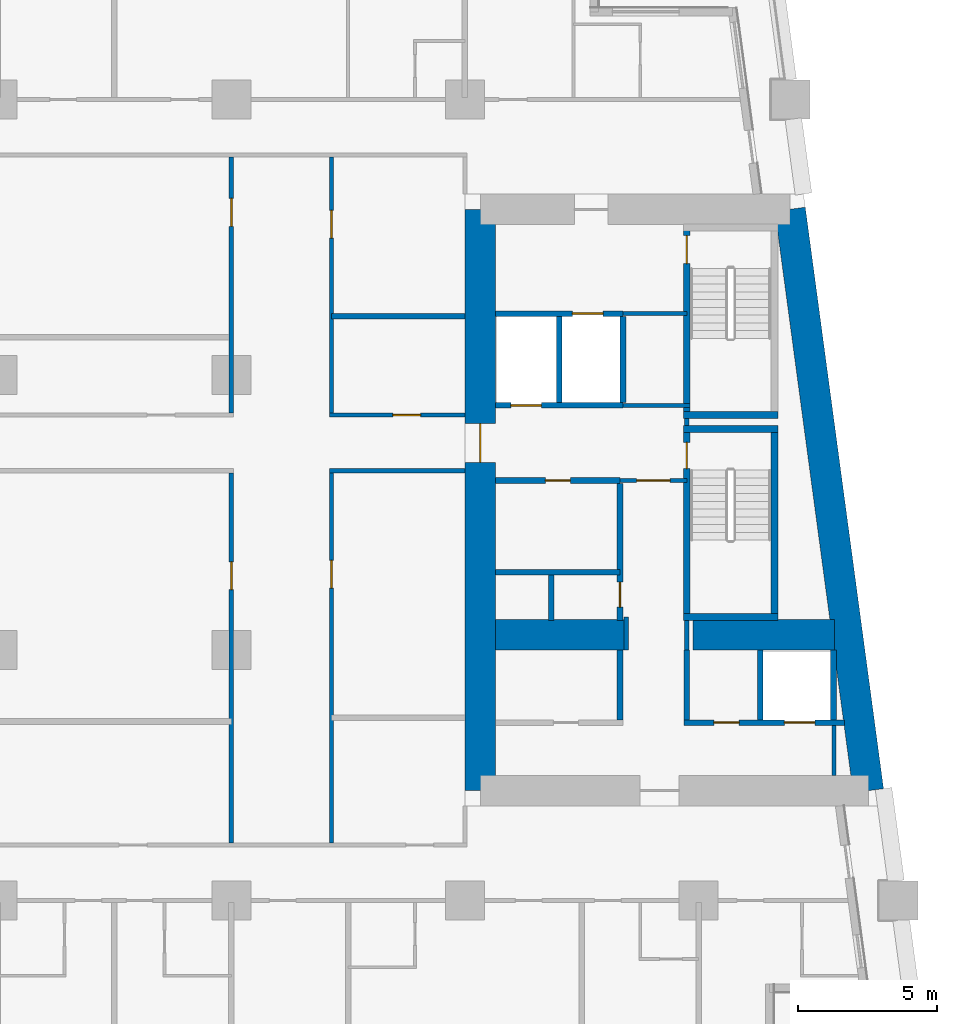
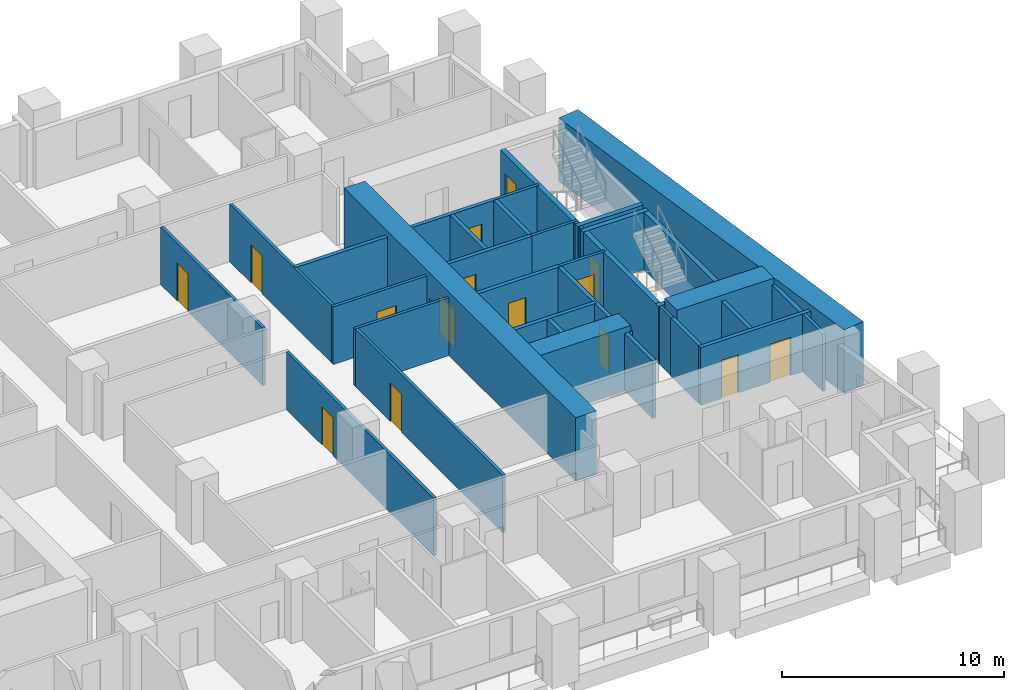
# One storey, part 5 of 12: 37 walls, 15 doors, 15 openings.
"""IFC4 building model written with IfcOpenShell, lengths in metres."""

from ifc_helpers import new_model, si_unit, direction, frame, frame_2d, origin, place, context, subcontext, project, spatial, rectangle, extrude, material, layer, layer_set, type_object, element, fill, save


model = new_model("IFC4")

# Units and contexts
model_context = context("Model", 3, precision=1e-05, world=origin(), true_north=direction((0.0, 1.0)))
body_context = subcontext(model_context, "Body", "Model", "MODEL_VIEW")
ifc_project = project(units=[si_unit("LENGTHUNIT", "METRE"), si_unit("AREAUNIT", "SQUARE_METRE"), si_unit("VOLUMEUNIT", "CUBIC_METRE"), si_unit("PLANEANGLEUNIT", "RADIAN"), si_unit("MASSUNIT", "GRAM", prefix="KILO")], contexts=[model_context])

# Site, building, storey
site_placement = place(None, origin())
site = spatial("IfcSite", under=ifc_project, at=site_placement, CompositionType="ELEMENT")
building_placement = place(site_placement, origin())
building = spatial("IfcBuilding", under=site, at=building_placement, Name="Candeia Pilgrim Tower and Theatre", CompositionType="ELEMENT")
storey_placement = place(building_placement, frame((0.0, 0.0, 42.5)))
storey = spatial("IfcBuildingStorey", under=building, at=storey_placement, Name="L07", CompositionType="ELEMENT", Elevation=42.5)

# Wall
ifc_material_1 = material(Name="Concrete C80/95", Category="concrete")
ifc_layer_1 = layer(ifc_material_1, 1.10009765625)
ifc_layer_set_1 = layer_set([ifc_layer_1], Name="Core wall 1100 C80/95")
wall_type_1 = type_object("IfcWallType", Name="Core wall 1100 C80/95", PredefinedType="SHEAR", material=ifc_layer_set_1)
wall_1_placement = place(storey_placement, frame((137.688232421875, 131.85009765625, 0.0), z_axis=(0.0, 0.0, 1.0), x_axis=(0.133411793472, -0.991060691059, 0.0)))
element("IfcWall", 1, at=wall_1_placement, inside=storey, type_object=wall_type_1, Name="Core wall E2", PredefinedType="SHEAR", context=body_context, shape_type="SweptSolid", body=[
    extrude(rectangle(XDim=21.088623046875, YDim=1.10009765625, at=frame_2d((10.54443359375, 0.0))), origin(), (0.0, 0.0, 1.0), 3.5),
])

# Wall, opening, door
wall_2_placement = place(storey_placement, frame((126.550048828125, 110.949951171875, 0.0), z_axis=(0.0, 0.0, 1.0), x_axis=(0.0, 1.0, 0.0)))
wall_2 = element("IfcWall", 2, at=wall_2_placement, inside=storey, type_object=wall_type_1, Name="Core wall E4", PredefinedType="SHEAR", context=body_context, shape_type="SweptSolid", body=[
    extrude(rectangle(XDim=20.900146484375, YDim=1.10009765625, at=frame_2d((10.4501953125, 0.0))), origin(), (0.0, 0.0, 1.0), 3.5),
])
opening_1_placement = place(wall_2_placement, frame((11.800048828125, 0.0, 0.0)))
opening_1 = element("IfcOpeningElement", 3, at=opening_1_placement, cuts=wall_2, Name="Opening L07-D060", PredefinedType="OPENING", context=body_context, shape_type="SweptSolid", body=[
    extrude(rectangle(XDim=1.39990234375, YDim=2.10009765625, at=frame_2d((0.699951171875, 1.050048828125))), frame((0.0, 0.56005859375, 0.0), z_axis=(0.0, -1.0, 0.0), x_axis=(1.0, 0.0, 0.0)), (0.0, 0.0, 1.0), 1.1201171875),
])
ifc_material_2 = material(Name="Steel fire door set", Category="steel")
door_type_1 = type_object("IfcDoorType", Name="D-1400-FD60", OperationType="NOTDEFINED", PredefinedType="DOOR", material=ifc_material_2)
door_1_placement = place(opening_1_placement, origin())
door_1 = element("IfcDoor", 4, at=door_1_placement, inside=storey, type_object=door_type_1, Name="Door L07-D060", OperationType="SINGLE_SWING_LEFT", OverallHeight=2.10009765625, OverallWidth=1.39990234375, PredefinedType="DOOR", context=body_context, shape_type="SweptSolid", body=[
    extrude(rectangle(XDim=1.39990234375, YDim=2.10009765625, at=frame_2d((0.699951171875, 1.050048828125))), frame((0.0, 0.02490234375, 0.0), z_axis=(0.0, -1.0, 0.0), x_axis=(1.0, 0.0, 0.0)), (0.0, 0.0, 1.0), 0.050048828125),
])
fill(opening_1, door_1)

# Walls
wall_3_placement = place(storey_placement, frame((127.10009765625, 116.550048828125, 0.0), z_axis=(0.0, 0.0, 1.0), x_axis=(1.0, 0.0, 0.0)))
element("IfcWall", 5, at=wall_3_placement, inside=storey, type_object=wall_type_1, Name="Core wall E5", PredefinedType="SHEAR", context=body_context, shape_type="SweptSolid", body=[
    extrude(rectangle(XDim=4.699951171875, YDim=1.10009765625, at=frame_2d((2.35009765625, 0.0))), origin(), (0.0, 0.0, 1.0), 3.5),
])
wall_4_placement = place(storey_placement, frame((134.199951171875, 116.550048828125, 0.0), z_axis=(0.0, 0.0, 1.0), x_axis=(1.0, 0.0, 0.0)))
element("IfcWall", 6, at=wall_4_placement, inside=storey, type_object=wall_type_1, Name="Core wall E6", PredefinedType="SHEAR", context=body_context, shape_type="SweptSolid", body=[
    extrude(rectangle(XDim=5.076904296875, YDim=1.10009765625, at=frame_2d((2.53857421875, 0.0))), origin(), (0.0, 0.0, 1.0), 3.5),
])

# Wall, opening, door
ifc_material_3 = material(Name="Gypsum board partition on steel studs", Category="steel")
ifc_layer_2 = layer(ifc_material_3, 0.14990234375)
ifc_layer_set_2 = layer_set([ifc_layer_2], Name="PW-150 lobby wall")
wall_type_2 = type_object("IfcWallType", Name="PW-150 lobby wall", PredefinedType="PARTITIONING", material=ifc_layer_set_2)
wall_5_placement = place(storey_placement, frame((131.572998046875, 122.10009765625, 0.0), z_axis=(0.0, 0.0, 1.0), x_axis=(1.0, 0.0, 0.0)))
wall_5 = element("IfcWall", 7, at=wall_5_placement, inside=storey, type_object=wall_type_2, Name="Lobby wall L07-023", PredefinedType="PARTITIONING", context=body_context, shape_type="SweptSolid", body=[
    extrude(rectangle(XDim=2.39990234375, YDim=0.14990234375, at=frame_2d((1.199951171875, 0.0))), origin(), (0.0, 0.0, 1.0), 3.179931640625),
])
opening_2_placement = place(wall_5_placement, frame((0.60009765625, 0.0, 0.0)))
opening_2 = element("IfcOpeningElement", 8, at=opening_2_placement, cuts=wall_5, Name="Opening L07-D007", PredefinedType="OPENING", context=body_context, shape_type="SweptSolid", body=[
    extrude(rectangle(XDim=1.199951171875, YDim=2.10009765625, at=frame_2d((0.60009765625, 1.050048828125))), frame((0.0, 0.0849609375, 0.0), z_axis=(0.0, -1.0, 0.0), x_axis=(1.0, 0.0, 0.0)), (0.0, 0.0, 1.0), 0.169921875),
])
door_type_2 = type_object("IfcDoorType", Name="D-1200-FD60", OperationType="NOTDEFINED", PredefinedType="DOOR", material=ifc_material_2)
door_2_placement = place(opening_2_placement, origin())
door_2 = element("IfcDoor", 9, at=door_2_placement, inside=storey, type_object=door_type_2, Name="Door L07-D007", OperationType="SINGLE_SWING_LEFT", OverallHeight=2.10009765625, OverallWidth=1.199951171875, PredefinedType="DOOR", context=body_context, shape_type="SweptSolid", body=[
    extrude(rectangle(XDim=1.199951171875, YDim=2.10009765625, at=frame_2d((0.60009765625, 1.050048828125))), frame((0.0, 0.02490234375, 0.0), z_axis=(0.0, -1.0, 0.0), x_axis=(1.0, 0.0, 0.0)), (0.0, 0.0, 1.0), 0.050048828125),
])
fill(opening_2, door_2)

# Walls
wall_6_placement = place(storey_placement, frame((131.681884765625, 124.800048828125, 0.0), z_axis=(0.0, 0.0, 1.0), x_axis=(1.0, 0.0, 0.0)))
element("IfcWall", 10, at=wall_6_placement, inside=storey, type_object=wall_type_2, Name="Lobby wall L07-036", PredefinedType="PARTITIONING", context=body_context, shape_type="SweptSolid", body=[
    extrude(rectangle(XDim=2.416015625, YDim=0.14990234375, at=frame_2d((1.2080078125, 0.0))), origin(), (0.0, 0.0, 1.0), 3.179931640625),
])
wall_7_placement = place(storey_placement, frame((131.681884765625, 128.10009765625, 0.0), z_axis=(0.0, 0.0, 1.0), x_axis=(1.0, 0.0, 0.0)))
element("IfcWall", 11, at=wall_7_placement, inside=storey, type_object=wall_type_2, Name="Lobby wall L07-042", PredefinedType="PARTITIONING", context=body_context, shape_type="SweptSolid", body=[
    extrude(rectangle(XDim=2.291015625, YDim=0.14990234375, at=frame_2d((1.1455078125, 0.0))), origin(), (0.0, 0.0, 1.0), 3.179931640625),
])
wall_8_placement = place(storey_placement, frame((131.800048828125, 116.0, 0.0), z_axis=(0.0, 0.0, 1.0), x_axis=(0.0, 1.0, 0.0)))
element("IfcWall", 12, at=wall_8_placement, inside=storey, type_object=wall_type_2, Name="Lobby wall L07-108", PredefinedType="PARTITIONING", context=body_context, shape_type="SweptSolid", body=[
    extrude(rectangle(XDim=1.199951171875, YDim=0.14990234375, at=frame_2d((0.60009765625, 0.0))), origin(), (0.0, 0.0, 1.0), 3.179931640625),
])
wall_9_placement = place(storey_placement, frame((133.972900390625, 116.0, 0.0), z_axis=(0.0, 0.0, 1.0), x_axis=(0.0, 1.0, 0.0)))
element("IfcWall", 13, at=wall_9_placement, inside=storey, type_object=wall_type_2, Name="Lobby wall L07-112", PredefinedType="PARTITIONING", context=body_context, shape_type="SweptSolid", body=[
    extrude(rectangle(XDim=1.070068359375, YDim=0.14990234375, at=frame_2d((0.53515625, 0.0))), origin(), (0.0, 0.0, 1.0), 3.179931640625),
])
wall_10_placement = place(storey_placement, frame((133.972900390625, 124.074951171875, 0.0), z_axis=(0.0, 0.0, 1.0), x_axis=(0.0, 1.0, 0.0)))
element("IfcWall", 14, at=wall_10_placement, inside=storey, type_object=wall_type_2, Name="Lobby wall L07-113", PredefinedType="PARTITIONING", context=body_context, shape_type="SweptSolid", body=[
    extrude(rectangle(XDim=0.25, YDim=0.14990234375, at=frame_2d((0.125, 0.0))), origin(), (0.0, 0.0, 1.0), 3.179931640625),
])
wall_11_placement = place(storey_placement, frame((139.27001953125, 111.5, 0.0), z_axis=(0.0, 0.0, 1.0), x_axis=(0.0, 1.0, 0.0)))
element("IfcWall", 15, at=wall_11_placement, inside=storey, type_object=wall_type_2, Name="Lobby wall L07-122", PredefinedType="PARTITIONING", context=body_context, shape_type="SweptSolid", body=[
    extrude(rectangle(XDim=1.800048828125, YDim=0.14990234375, at=frame_2d((0.89990234375, 0.0))), origin(), (0.0, 0.0, 1.0), 3.179931640625),
])
ifc_layer_3 = layer(ifc_material_3, 0.14990234375)
ifc_layer_set_3 = layer_set([ifc_layer_3], Name="PW-150 unit wall")
wall_type_3 = type_object("IfcWallType", Name="PW-150 unit wall", PredefinedType="PARTITIONING", material=ifc_layer_set_3)
wall_12_placement = place(storey_placement, frame((121.125, 122.449951171875, 0.0), z_axis=(0.0, 0.0, 1.0), x_axis=(1.0, 0.0, 0.0)))
element("IfcWall", 16, at=wall_12_placement, inside=storey, type_object=wall_type_3, Name="Unit wall L07-026", PredefinedType="PARTITIONING", context=body_context, shape_type="SweptSolid", body=[
    extrude(rectangle(XDim=4.875, YDim=0.14990234375, at=frame_2d((2.4375, 0.0))), origin(), (0.0, 0.0, 1.0), 3.179931640625),
])

# Wall, opening, door
wall_13_placement = place(storey_placement, frame((121.125, 124.449951171875, 0.0), z_axis=(0.0, 0.0, 1.0), x_axis=(1.0, 0.0, 0.0)))
wall_13 = element("IfcWall", 17, at=wall_13_placement, inside=storey, type_object=wall_type_3, Name="Unit wall L07-033", PredefinedType="PARTITIONING", context=body_context, shape_type="SweptSolid", body=[
    extrude(rectangle(XDim=4.875, YDim=0.14990234375, at=frame_2d((2.4375, 0.0))), origin(), (0.0, 0.0, 1.0), 3.179931640625),
])
opening_3_placement = place(wall_13_placement, frame((2.284912109375, 0.0, 0.0)))
opening_3 = element("IfcOpeningElement", 18, at=opening_3_placement, cuts=wall_13, Name="Opening L07-D053", PredefinedType="OPENING", context=body_context, shape_type="SweptSolid", body=[
    extrude(rectangle(XDim=1.0, YDim=2.10009765625, at=frame_2d((0.5, 1.050048828125))), frame((0.0, 0.0849609375, 0.0), z_axis=(0.0, -1.0, 0.0), x_axis=(1.0, 0.0, 0.0)), (0.0, 0.0, 1.0), 0.169921875),
])
door_type_3 = type_object("IfcDoorType", Name="D-1000-FD30S", OperationType="NOTDEFINED", PredefinedType="DOOR", material=ifc_material_2)
door_3_placement = place(opening_3_placement, origin())
door_3 = element("IfcDoor", 19, at=door_3_placement, inside=storey, type_object=door_type_3, Name="Door L07-D053", OperationType="SINGLE_SWING_RIGHT", OverallHeight=2.10009765625, OverallWidth=1.0, PredefinedType="DOOR", context=body_context, shape_type="SweptSolid", body=[
    extrude(rectangle(XDim=1.0, YDim=2.10009765625, at=frame_2d((0.5, 1.050048828125))), frame((0.0, 0.02490234375, 0.0), z_axis=(0.0, -1.0, 0.0), x_axis=(1.0, 0.0, 0.0)), (0.0, 0.0, 1.0), 0.050048828125),
])
fill(opening_3, door_3)

wall_14_placement = place(storey_placement, frame((117.60009765625, 109.074951171875, 0.0), z_axis=(0.0, 0.0, 1.0), x_axis=(0.0, 1.0, 0.0)))
wall_14 = element("IfcWall", 20, at=wall_14_placement, inside=storey, type_object=wall_type_3, Name="Unit wall L07-090", PredefinedType="PARTITIONING", context=body_context, shape_type="SweptSolid", body=[
    extrude(rectangle(XDim=13.300048828125, YDim=0.14990234375, at=frame_2d((6.64990234375, 0.0))), origin(), (0.0, 0.0, 1.0), 3.179931640625),
])
opening_4_placement = place(wall_14_placement, frame((9.10009765625, 0.0, 0.0)))
opening_4 = element("IfcOpeningElement", 21, at=opening_4_placement, cuts=wall_14, Name="Opening L07-D048", PredefinedType="OPENING", context=body_context, shape_type="SweptSolid", body=[
    extrude(rectangle(XDim=1.0, YDim=2.10009765625, at=frame_2d((0.5, 1.050048828125))), frame((0.0, 0.0849609375, 0.0), z_axis=(0.0, -1.0, 0.0), x_axis=(1.0, 0.0, 0.0)), (0.0, 0.0, 1.0), 0.169921875),
])
door_4_placement = place(opening_4_placement, origin())
door_4 = element("IfcDoor", 22, at=door_4_placement, inside=storey, type_object=door_type_3, Name="Door L07-D048", OperationType="SINGLE_SWING_LEFT", OverallHeight=2.10009765625, OverallWidth=1.0, PredefinedType="DOOR", context=body_context, shape_type="SweptSolid", body=[
    extrude(rectangle(XDim=1.0, YDim=2.10009765625, at=frame_2d((0.5, 1.050048828125))), frame((0.0, 0.02490234375, 0.0), z_axis=(0.0, -1.0, 0.0), x_axis=(1.0, 0.0, 0.0)), (0.0, 0.0, 1.0), 0.050048828125),
])
fill(opening_4, door_4)

wall_15_placement = place(storey_placement, frame((117.60009765625, 124.52490234375, 0.0), z_axis=(0.0, 0.0, 1.0), x_axis=(0.0, 1.0, 0.0)))
wall_15 = element("IfcWall", 23, at=wall_15_placement, inside=storey, type_object=wall_type_3, Name="Unit wall L07-091", PredefinedType="PARTITIONING", context=body_context, shape_type="SweptSolid", body=[
    extrude(rectangle(XDim=9.2001953125, YDim=0.14990234375, at=frame_2d((4.60009765625, 0.0))), origin(), (0.0, 0.0, 1.0), 3.179931640625),
])
opening_5_placement = place(wall_15_placement, frame((6.714111328125, 0.0, 0.0)))
opening_5 = element("IfcOpeningElement", 24, at=opening_5_placement, cuts=wall_15, Name="Opening L07-D050", PredefinedType="OPENING", context=body_context, shape_type="SweptSolid", body=[
    extrude(rectangle(XDim=1.0, YDim=2.10009765625, at=frame_2d((0.5, 1.050048828125))), frame((0.0, 0.0849609375, 0.0), z_axis=(0.0, -1.0, 0.0), x_axis=(1.0, 0.0, 0.0)), (0.0, 0.0, 1.0), 0.169921875),
])
door_5_placement = place(opening_5_placement, origin())
door_5 = element("IfcDoor", 25, at=door_5_placement, inside=storey, type_object=door_type_3, Name="Door L07-D050", OperationType="SINGLE_SWING_LEFT", OverallHeight=2.10009765625, OverallWidth=1.0, PredefinedType="DOOR", context=body_context, shape_type="SweptSolid", body=[
    extrude(rectangle(XDim=1.0, YDim=2.10009765625, at=frame_2d((0.5, 1.050048828125))), frame((0.0, 0.02490234375, 0.0), z_axis=(0.0, -1.0, 0.0), x_axis=(1.0, 0.0, 0.0)), (0.0, 0.0, 1.0), 0.050048828125),
])
fill(opening_5, door_5)

wall_16_placement = place(storey_placement, frame((121.199951171875, 109.074951171875, 0.0), z_axis=(0.0, 0.0, 1.0), x_axis=(0.0, 1.0, 0.0)))
wall_16 = element("IfcWall", 26, at=wall_16_placement, inside=storey, type_object=wall_type_3, Name="Unit wall L07-092", PredefinedType="PARTITIONING", context=body_context, shape_type="SweptSolid", body=[
    extrude(rectangle(XDim=13.300048828125, YDim=0.14990234375, at=frame_2d((6.64990234375, 0.0))), origin(), (0.0, 0.0, 1.0), 3.179931640625),
])
opening_6_placement = place(wall_16_placement, frame((9.154052734375, 0.0, 0.0)))
opening_6 = element("IfcOpeningElement", 27, at=opening_6_placement, cuts=wall_16, Name="Opening L07-D052", PredefinedType="OPENING", context=body_context, shape_type="SweptSolid", body=[
    extrude(rectangle(XDim=1.0, YDim=2.10009765625, at=frame_2d((0.5, 1.050048828125))), frame((0.0, 0.0849609375, 0.0), z_axis=(0.0, -1.0, 0.0), x_axis=(1.0, 0.0, 0.0)), (0.0, 0.0, 1.0), 0.169921875),
])
door_6_placement = place(opening_6_placement, origin())
door_6 = element("IfcDoor", 28, at=door_6_placement, inside=storey, type_object=door_type_3, Name="Door L07-D052", OperationType="SINGLE_SWING_LEFT", OverallHeight=2.10009765625, OverallWidth=1.0, PredefinedType="DOOR", context=body_context, shape_type="SweptSolid", body=[
    extrude(rectangle(XDim=1.0, YDim=2.10009765625, at=frame_2d((0.5, 1.050048828125))), frame((0.0, 0.02490234375, 0.0), z_axis=(0.0, -1.0, 0.0), x_axis=(1.0, 0.0, 0.0)), (0.0, 0.0, 1.0), 0.050048828125),
])
fill(opening_6, door_6)

wall_17_placement = place(storey_placement, frame((121.199951171875, 124.52490234375, 0.0), z_axis=(0.0, 0.0, 1.0), x_axis=(0.0, 1.0, 0.0)))
wall_17 = element("IfcWall", 29, at=wall_17_placement, inside=storey, type_object=wall_type_3, Name="Unit wall L07-093", PredefinedType="PARTITIONING", context=body_context, shape_type="SweptSolid", body=[
    extrude(rectangle(XDim=9.2001953125, YDim=0.14990234375, at=frame_2d((4.60009765625, 0.0))), origin(), (0.0, 0.0, 1.0), 3.179931640625),
])
opening_7_placement = place(wall_17_placement, frame((6.285888671875, 0.0, 0.0)))
opening_7 = element("IfcOpeningElement", 30, at=opening_7_placement, cuts=wall_17, Name="Opening L07-D054", PredefinedType="OPENING", context=body_context, shape_type="SweptSolid", body=[
    extrude(rectangle(XDim=1.0, YDim=2.10009765625, at=frame_2d((0.5, 1.050048828125))), frame((0.0, 0.0849609375, 0.0), z_axis=(0.0, -1.0, 0.0), x_axis=(1.0, 0.0, 0.0)), (0.0, 0.0, 1.0), 0.169921875),
])
door_7_placement = place(opening_7_placement, origin())
door_7 = element("IfcDoor", 31, at=door_7_placement, inside=storey, type_object=door_type_3, Name="Door L07-D054", OperationType="SINGLE_SWING_LEFT", OverallHeight=2.10009765625, OverallWidth=1.0, PredefinedType="DOOR", context=body_context, shape_type="SweptSolid", body=[
    extrude(rectangle(XDim=1.0, YDim=2.10009765625, at=frame_2d((0.5, 1.050048828125))), frame((0.0, 0.02490234375, 0.0), z_axis=(0.0, -1.0, 0.0), x_axis=(1.0, 0.0, 0.0)), (0.0, 0.0, 1.0), 0.050048828125),
])
fill(opening_7, door_7)

# Wall
ifc_layer_4 = layer(ifc_material_3, 0.199951171875)
ifc_layer_set_4 = layer_set([ifc_layer_4], Name="PW-200 party wall")
wall_type_4 = type_object("IfcWallType", Name="PW-200 party wall", PredefinedType="PARTITIONING", material=ifc_layer_set_4)
wall_18_placement = place(storey_placement, frame((121.199951171875, 128.0029296875, 0.0), z_axis=(0.0, 0.0, 1.0), x_axis=(1.0, 0.0, 0.0)))
element("IfcWall", 32, at=wall_18_placement, inside=storey, type_object=wall_type_4, Name="Party wall L07-039", PredefinedType="PARTITIONING", context=body_context, shape_type="SweptSolid", body=[
    extrude(rectangle(XDim=4.800048828125, YDim=0.199951171875, at=frame_2d((2.39990234375, 0.0))), origin(), (0.0, 0.0, 1.0), 3.179931640625),
])

# Wall, openings, doors
ifc_material_4 = material(Name="Concrete C40/50", Category="concrete")
ifc_layer_5 = layer(ifc_material_4, 0.199951171875)
ifc_layer_set_5 = layer_set([ifc_layer_5], Name="SW-200 shaft wall")
wall_type_5 = type_object("IfcWallType", Name="SW-200 shaft wall", PredefinedType="PARTITIONING", material=ifc_layer_set_5)
wall_19_placement = place(storey_placement, frame((133.873046875, 113.39990234375, 0.0), z_axis=(0.0, 0.0, 1.0), x_axis=(1.0, 0.0, 0.0)))
wall_19 = element("IfcWall", 33, at=wall_19_placement, inside=storey, type_object=wall_type_5, Name="Shaft wall L07-013", PredefinedType="PARTITIONING", context=body_context, shape_type="SweptSolid", body=[
    extrude(rectangle(XDim=5.77392578125, YDim=0.199951171875, at=frame_2d((2.886962890625, 0.0))), origin(), (0.0, 0.0, 1.0), 3.179931640625),
])
opening_8_placement = place(wall_19_placement, frame((3.60791015625, 0.0, 0.0)))
opening_8 = element("IfcOpeningElement", 34, at=opening_8_placement, cuts=wall_19, Name="Opening L07-LD08", PredefinedType="OPENING", context=body_context, shape_type="SweptSolid", body=[
    extrude(rectangle(XDim=1.10009765625, YDim=2.10009765625, at=frame_2d((0.550048828125, 1.050048828125))), frame((0.0, 0.10986328125, 0.0), z_axis=(0.0, -1.0, 0.0), x_axis=(1.0, 0.0, 0.0)), (0.0, 0.0, 1.0), 0.219970703125),
])
opening_9_placement = place(wall_19_placement, frame((1.0791015625, 0.0, 0.0)))
opening_9 = element("IfcOpeningElement", 35, at=opening_9_placement, cuts=wall_19, Name="Opening L07-D012", PredefinedType="OPENING", context=body_context, shape_type="SweptSolid", body=[
    extrude(rectangle(XDim=0.89990234375, YDim=2.10009765625, at=frame_2d((0.449951171875, 1.050048828125))), frame((0.0, 0.10986328125, 0.0), z_axis=(0.0, -1.0, 0.0), x_axis=(1.0, 0.0, 0.0)), (0.0, 0.0, 1.0), 0.219970703125),
])
door_type_4 = type_object("IfcDoorType", Name="D-900-FD60", OperationType="NOTDEFINED", PredefinedType="DOOR", material=ifc_material_2)
door_8_placement = place(opening_9_placement, origin())
door_8 = element("IfcDoor", 36, at=door_8_placement, inside=storey, type_object=door_type_4, Name="Door L07-D012", OperationType="SINGLE_SWING_LEFT", OverallHeight=2.10009765625, OverallWidth=0.89990234375, PredefinedType="DOOR", context=body_context, shape_type="SweptSolid", body=[
    extrude(rectangle(XDim=0.89990234375, YDim=2.10009765625, at=frame_2d((0.449951171875, 1.050048828125))), frame((0.0, 0.02490234375, 0.0), z_axis=(0.0, -1.0, 0.0), x_axis=(1.0, 0.0, 0.0)), (0.0, 0.0, 1.0), 0.050048828125),
])
fill(opening_9, door_8)
ifc_material_5 = material(Name="Glazed aluminium landing door", Category="aluminium")
door_type_5 = type_object("IfcDoorType", Name="LD-1100-EI120", OperationType="SLIDING_TO_LEFT", PredefinedType="DOOR", material=ifc_material_5)
door_9_placement = place(opening_8_placement, origin())
door_9 = element("IfcDoor", 37, at=door_9_placement, inside=storey, type_object=door_type_5, Name="Landing door 08 L07", OperationType="SLIDING_TO_LEFT", OverallHeight=2.10009765625, OverallWidth=1.10009765625, PredefinedType="DOOR", context=body_context, shape_type="SweptSolid", body=[
    extrude(rectangle(XDim=1.10009765625, YDim=2.10009765625, at=frame_2d((0.550048828125, 1.050048828125))), frame((0.0, 0.02490234375, 0.0), z_axis=(0.0, -1.0, 0.0), x_axis=(1.0, 0.0, 0.0)), (0.0, 0.0, 1.0), 0.050048828125),
])
fill(opening_8, door_9)

# Wall
wall_20_placement = place(storey_placement, frame((127.10009765625, 118.800048828125, 0.0), z_axis=(0.0, 0.0, 1.0), x_axis=(1.0, 0.0, 0.0)))
element("IfcWall", 38, at=wall_20_placement, inside=storey, type_object=wall_type_5, Name="Shaft wall L07-019", PredefinedType="PARTITIONING", context=body_context, shape_type="SweptSolid", body=[
    extrude(rectangle(XDim=4.472900390625, YDim=0.199951171875, at=frame_2d((2.236328125, 0.0))), origin(), (0.0, 0.0, 1.0), 3.179931640625),
])

# Wall, opening, door
wall_21_placement = place(storey_placement, frame((127.10009765625, 122.10009765625, 0.0), z_axis=(0.0, 0.0, 1.0), x_axis=(1.0, 0.0, 0.0)))
wall_21 = element("IfcWall", 39, at=wall_21_placement, inside=storey, type_object=wall_type_5, Name="Shaft wall L07-021", PredefinedType="PARTITIONING", context=body_context, shape_type="SweptSolid", body=[
    extrude(rectangle(XDim=4.472900390625, YDim=0.199951171875, at=frame_2d((2.236328125, 0.0))), origin(), (0.0, 0.0, 1.0), 3.179931640625),
])
opening_10_placement = place(wall_21_placement, frame((1.787109375, 0.0, 0.0)))
opening_10 = element("IfcOpeningElement", 40, at=opening_10_placement, cuts=wall_21, Name="Opening L07-D008", PredefinedType="OPENING", context=body_context, shape_type="SweptSolid", body=[
    extrude(rectangle(XDim=0.89990234375, YDim=2.10009765625, at=frame_2d((0.449951171875, 1.050048828125))), frame((0.0, 0.10986328125, 0.0), z_axis=(0.0, -1.0, 0.0), x_axis=(1.0, 0.0, 0.0)), (0.0, 0.0, 1.0), 0.219970703125),
])
door_10_placement = place(opening_10_placement, origin())
door_10 = element("IfcDoor", 41, at=door_10_placement, inside=storey, type_object=door_type_4, Name="Door L07-D008", OperationType="SINGLE_SWING_RIGHT", OverallHeight=2.10009765625, OverallWidth=0.89990234375, PredefinedType="DOOR", context=body_context, shape_type="SweptSolid", body=[
    extrude(rectangle(XDim=0.89990234375, YDim=2.10009765625, at=frame_2d((0.449951171875, 1.050048828125))), frame((0.0, 0.02490234375, 0.0), z_axis=(0.0, -1.0, 0.0), x_axis=(1.0, 0.0, 0.0)), (0.0, 0.0, 1.0), 0.050048828125),
])
fill(opening_10, door_10)

wall_22_placement = place(storey_placement, frame((127.10009765625, 124.800048828125, 0.0), z_axis=(0.0, 0.0, 1.0), x_axis=(1.0, 0.0, 0.0)))
wall_22 = element("IfcWall", 42, at=wall_22_placement, inside=storey, type_object=wall_type_5, Name="Shaft wall L07-035", PredefinedType="PARTITIONING", context=body_context, shape_type="SweptSolid", body=[
    extrude(rectangle(XDim=4.581787109375, YDim=0.199951171875, at=frame_2d((2.291015625, 0.0))), origin(), (0.0, 0.0, 1.0), 3.179931640625),
])
opening_11_placement = place(wall_22_placement, frame((0.5458984375, 0.0, 0.0)))
opening_11 = element("IfcOpeningElement", 43, at=opening_11_placement, cuts=wall_22, Name="Opening L07-LD07", PredefinedType="OPENING", context=body_context, shape_type="SweptSolid", body=[
    extrude(rectangle(XDim=1.10009765625, YDim=2.10009765625, at=frame_2d((0.550048828125, 1.050048828125))), frame((0.0, 0.10986328125, 0.0), z_axis=(0.0, -1.0, 0.0), x_axis=(1.0, 0.0, 0.0)), (0.0, 0.0, 1.0), 0.219970703125),
])
door_11_placement = place(opening_11_placement, origin())
door_11 = element("IfcDoor", 44, at=door_11_placement, inside=storey, type_object=door_type_5, Name="Landing door 07 L07", OperationType="SLIDING_TO_LEFT", OverallHeight=2.10009765625, OverallWidth=1.10009765625, PredefinedType="DOOR", context=body_context, shape_type="SweptSolid", body=[
    extrude(rectangle(XDim=1.10009765625, YDim=2.10009765625, at=frame_2d((0.550048828125, 1.050048828125))), frame((0.0, 0.02490234375, 0.0), z_axis=(0.0, -1.0, 0.0), x_axis=(1.0, 0.0, 0.0)), (0.0, 0.0, 1.0), 0.050048828125),
])
fill(opening_11, door_11)

wall_23_placement = place(storey_placement, frame((127.10009765625, 128.10009765625, 0.0), z_axis=(0.0, 0.0, 1.0), x_axis=(1.0, 0.0, 0.0)))
wall_23 = element("IfcWall", 45, at=wall_23_placement, inside=storey, type_object=wall_type_5, Name="Shaft wall L07-041", PredefinedType="PARTITIONING", context=body_context, shape_type="SweptSolid", body=[
    extrude(rectangle(XDim=4.581787109375, YDim=0.199951171875, at=frame_2d((2.291015625, 0.0))), origin(), (0.0, 0.0, 1.0), 3.179931640625),
])
opening_12_placement = place(wall_23_placement, frame((2.763916015625, 0.0, 0.0)))
opening_12 = element("IfcOpeningElement", 46, at=opening_12_placement, cuts=wall_23, Name="Opening L07-LD06", PredefinedType="OPENING", context=body_context, shape_type="SweptSolid", body=[
    extrude(rectangle(XDim=1.10009765625, YDim=2.10009765625, at=frame_2d((0.550048828125, 1.050048828125))), frame((0.0, 0.10986328125, 0.0), z_axis=(0.0, -1.0, 0.0), x_axis=(1.0, 0.0, 0.0)), (0.0, 0.0, 1.0), 0.219970703125),
])
door_12_placement = place(opening_12_placement, origin())
door_12 = element("IfcDoor", 47, at=door_12_placement, inside=storey, type_object=door_type_5, Name="Landing door 06 L07", OperationType="SLIDING_TO_LEFT", OverallHeight=2.10009765625, OverallWidth=1.10009765625, PredefinedType="DOOR", context=body_context, shape_type="SweptSolid", body=[
    extrude(rectangle(XDim=1.10009765625, YDim=2.10009765625, at=frame_2d((0.550048828125, 1.050048828125))), frame((0.0, 0.02490234375, 0.0), z_axis=(0.0, -1.0, 0.0), x_axis=(1.0, 0.0, 0.0)), (0.0, 0.0, 1.0), 0.050048828125),
])
fill(opening_12, door_12)

# Walls
wall_24_placement = place(storey_placement, frame((129.10009765625, 117.070068359375, 0.0), z_axis=(0.0, 0.0, 1.0), x_axis=(0.0, 1.0, 0.0)))
element("IfcWall", 48, at=wall_24_placement, inside=storey, type_object=wall_type_5, Name="Shaft wall L07-101", PredefinedType="PARTITIONING", context=body_context, shape_type="SweptSolid", body=[
    extrude(rectangle(XDim=1.6298828125, YDim=0.199951171875, at=frame_2d((0.81494140625, 0.0))), origin(), (0.0, 0.0, 1.0), 3.179931640625),
])
wall_25_placement = place(storey_placement, frame((129.39111328125, 124.89990234375, 0.0), z_axis=(0.0, 0.0, 1.0), x_axis=(0.0, 1.0, 0.0)))
element("IfcWall", 49, at=wall_25_placement, inside=storey, type_object=wall_type_5, Name="Shaft wall L07-102", PredefinedType="PARTITIONING", context=body_context, shape_type="SweptSolid", body=[
    extrude(rectangle(XDim=3.10009765625, YDim=0.199951171875, at=frame_2d((1.550048828125, 0.0))), origin(), (0.0, 0.0, 1.0), 3.179931640625),
])
wall_26_placement = place(storey_placement, frame((131.572998046875, 113.5, 0.0), z_axis=(0.0, 0.0, 1.0), x_axis=(0.0, 1.0, 0.0)))
element("IfcWall", 50, at=wall_26_placement, inside=storey, type_object=wall_type_5, Name="Shaft wall L07-105", PredefinedType="PARTITIONING", context=body_context, shape_type="SweptSolid", body=[
    extrude(rectangle(XDim=2.5, YDim=0.199951171875, at=frame_2d((1.25, 0.0))), origin(), (0.0, 0.0, 1.0), 3.179931640625),
])

# Wall, opening, door
wall_27_placement = place(storey_placement, frame((131.572998046875, 117.070068359375, 0.0), z_axis=(0.0, 0.0, 1.0), x_axis=(0.0, 1.0, 0.0)))
wall_27 = element("IfcWall", 51, at=wall_27_placement, inside=storey, type_object=wall_type_5, Name="Shaft wall L07-106", PredefinedType="PARTITIONING", context=body_context, shape_type="SweptSolid", body=[
    extrude(rectangle(XDim=4.929931640625, YDim=0.199951171875, at=frame_2d((2.46484375, 0.0))), origin(), (0.0, 0.0, 1.0), 3.179931640625),
])
opening_13_placement = place(wall_27_placement, frame((0.47998046875, 0.0, 0.0)))
opening_13 = element("IfcOpeningElement", 52, at=opening_13_placement, cuts=wall_27, Name="Opening L07-D011", PredefinedType="OPENING", context=body_context, shape_type="SweptSolid", body=[
    extrude(rectangle(XDim=0.89990234375, YDim=2.10009765625, at=frame_2d((0.449951171875, 1.050048828125))), frame((0.0, 0.10986328125, 0.0), z_axis=(0.0, -1.0, 0.0), x_axis=(1.0, 0.0, 0.0)), (0.0, 0.0, 1.0), 0.219970703125),
])
door_13_placement = place(opening_13_placement, origin())
door_13 = element("IfcDoor", 53, at=door_13_placement, inside=storey, type_object=door_type_4, Name="Door L07-D011", OperationType="SINGLE_SWING_LEFT", OverallHeight=2.10009765625, OverallWidth=0.89990234375, PredefinedType="DOOR", context=body_context, shape_type="SweptSolid", body=[
    extrude(rectangle(XDim=0.89990234375, YDim=2.10009765625, at=frame_2d((0.449951171875, 1.050048828125))), frame((0.0, 0.02490234375, 0.0), z_axis=(0.0, -1.0, 0.0), x_axis=(1.0, 0.0, 0.0)), (0.0, 0.0, 1.0), 0.050048828125),
])
fill(opening_13, door_13)

# Walls
wall_28_placement = place(storey_placement, frame((131.681884765625, 124.89990234375, 0.0), z_axis=(0.0, 0.0, 1.0), x_axis=(0.0, 1.0, 0.0)))
element("IfcWall", 54, at=wall_28_placement, inside=storey, type_object=wall_type_5, Name="Shaft wall L07-107", PredefinedType="PARTITIONING", context=body_context, shape_type="SweptSolid", body=[
    extrude(rectangle(XDim=3.10009765625, YDim=0.199951171875, at=frame_2d((1.550048828125, 0.0))), origin(), (0.0, 0.0, 1.0), 3.179931640625),
])
for number, where, z_axis, x_axis, name in (
    (55, (133.972900390625, 113.5, 0.0), (0.0, 0.0, 1.0), (0.0, 1.0, 0.0), "Shaft wall L07-111"),
    (56, (136.62158203125, 113.5, 0.0), (0.0, 0.0, 1.0), (0.0, 1.0, 0.0), "Shaft wall L07-117"),
    (57, (139.247802734375, 113.5, 0.0), (0.0, 0.0, 1.0), (0.0, 1.0, 0.0), "Shaft wall L07-121"),
):
    element("IfcWall", number, at=place(storey_placement, frame(where, z_axis=z_axis, x_axis=x_axis)), inside=storey, type_object=wall_type_5, Name=name, PredefinedType="PARTITIONING", context=body_context, shape_type="SweptSolid", body=[
        extrude(rectangle(XDim=2.5, YDim=0.199951171875, at=frame_2d((1.25, 0.0))), origin(), (0.0, 0.0, 1.0), 3.179931640625),
    ])
ifc_layer_6 = layer(ifc_material_4, 0.25)
ifc_layer_set_6 = layer_set([ifc_layer_6], Name="SW-250 stair wall")
wall_type_6 = type_object("IfcWallType", Name="SW-250 stair wall", PredefinedType="PARTITIONING", material=ifc_layer_set_6)
for number, where, z_axis, x_axis, name in (
    (58, (133.847900390625, 117.199951171875, 0.0), (0.0, 0.0, 1.0), (1.0, 0.0, 0.0), "Stair wall L07-017"),
    (59, (133.847900390625, 123.949951171875, 0.0), (0.0, 0.0, 1.0), (1.0, 0.0, 0.0), "Stair wall L07-028"),
    (60, (133.847900390625, 124.449951171875, 0.0), (0.0, 0.0, 1.0), (1.0, 0.0, 0.0), "Stair wall L07-030"),
):
    element("IfcWall", number, at=place(storey_placement, frame(where, z_axis=z_axis, x_axis=x_axis)), inside=storey, type_object=wall_type_6, Name=name, PredefinedType="PARTITIONING", context=body_context, shape_type="SweptSolid", body=[
        extrude(rectangle(XDim=3.400146484375, YDim=0.25, at=frame_2d((1.7001953125, 0.0))), origin(), (0.0, 0.0, 1.0), 3.179931640625),
    ])

# Wall, opening, door
wall_29_placement = place(storey_placement, frame((133.972900390625, 117.070068359375, 0.0), z_axis=(0.0, 0.0, 1.0), x_axis=(0.0, 1.0, 0.0)))
wall_29 = element("IfcWall", 61, at=wall_29_placement, inside=storey, type_object=wall_type_6, Name="Stair wall L07-114", PredefinedType="PARTITIONING", context=body_context, shape_type="SweptSolid", body=[
    extrude(rectangle(XDim=6.7548828125, YDim=0.25, at=frame_2d((3.37744140625, 0.0))), origin(), (0.0, 0.0, 1.0), 3.179931640625),
])
opening_14_placement = place(wall_29_placement, frame((5.455078125, 0.0, 0.0)))
opening_14 = element("IfcOpeningElement", 62, at=opening_14_placement, cuts=wall_29, Name="Opening L07-D009", PredefinedType="OPENING", context=body_context, shape_type="SweptSolid", body=[
    extrude(rectangle(XDim=0.949951171875, YDim=2.10009765625, at=frame_2d((0.47509765625, 1.050048828125))), frame((0.0, 0.135009765625, 0.0), z_axis=(0.0, -1.0, 0.0), x_axis=(1.0, 0.0, 0.0)), (0.0, 0.0, 1.0), 0.27001953125),
])
door_type_6 = type_object("IfcDoorType", Name="D-950-FD60", OperationType="NOTDEFINED", PredefinedType="DOOR", material=ifc_material_2)
door_14_placement = place(opening_14_placement, origin())
door_14 = element("IfcDoor", 63, at=door_14_placement, inside=storey, type_object=door_type_6, Name="Door L07-D009", OperationType="SINGLE_SWING_LEFT", OverallHeight=2.10009765625, OverallWidth=0.949951171875, PredefinedType="DOOR", context=body_context, shape_type="SweptSolid", body=[
    extrude(rectangle(XDim=0.949951171875, YDim=2.10009765625, at=frame_2d((0.47509765625, 1.050048828125))), frame((0.0, 0.02490234375, 0.0), z_axis=(0.0, -1.0, 0.0), x_axis=(1.0, 0.0, 0.0)), (0.0, 0.0, 1.0), 0.050048828125),
])
fill(opening_14, door_14)

wall_30_placement = place(storey_placement, frame((133.972900390625, 124.574951171875, 0.0), z_axis=(0.0, 0.0, 1.0), x_axis=(0.0, 1.0, 0.0)))
wall_30 = element("IfcWall", 64, at=wall_30_placement, inside=storey, type_object=wall_type_6, Name="Stair wall L07-115", PredefinedType="PARTITIONING", context=body_context, shape_type="SweptSolid", body=[
    extrude(rectangle(XDim=6.755126953125, YDim=0.25, at=frame_2d((3.37744140625, 0.0))), origin(), (0.0, 0.0, 1.0), 3.179931640625),
])
opening_15_placement = place(wall_30_placement, frame((5.324951171875, 0.0, 0.0)))
opening_15 = element("IfcOpeningElement", 65, at=opening_15_placement, cuts=wall_30, Name="Opening L07-D010", PredefinedType="OPENING", context=body_context, shape_type="SweptSolid", body=[
    extrude(rectangle(XDim=1.0, YDim=2.10009765625, at=frame_2d((0.5, 1.050048828125))), frame((0.0, 0.135009765625, 0.0), z_axis=(0.0, -1.0, 0.0), x_axis=(1.0, 0.0, 0.0)), (0.0, 0.0, 1.0), 0.27001953125),
])
door_type_7 = type_object("IfcDoorType", Name="D-1000-FD60", OperationType="NOTDEFINED", PredefinedType="DOOR", material=ifc_material_2)
door_15_placement = place(opening_15_placement, origin())
door_15 = element("IfcDoor", 66, at=door_15_placement, inside=storey, type_object=door_type_7, Name="Door L07-D010", OperationType="SINGLE_SWING_RIGHT", OverallHeight=2.10009765625, OverallWidth=1.0, PredefinedType="DOOR", context=body_context, shape_type="SweptSolid", body=[
    extrude(rectangle(XDim=1.0, YDim=2.10009765625, at=frame_2d((0.5, 1.050048828125))), frame((0.0, 0.02490234375, 0.0), z_axis=(0.0, -1.0, 0.0), x_axis=(1.0, 0.0, 0.0)), (0.0, 0.0, 1.0), 0.050048828125),
])
fill(opening_15, door_15)

# Wall
wall_31_placement = place(storey_placement, frame((137.123046875, 117.070068359375, 0.0), z_axis=(0.0, 0.0, 1.0), x_axis=(0.0, 1.0, 0.0)))
element("IfcWall", 67, at=wall_31_placement, inside=storey, type_object=wall_type_6, Name="Stair wall L07-118", PredefinedType="PARTITIONING", context=body_context, shape_type="SweptSolid", body=[
    extrude(rectangle(XDim=6.7548828125, YDim=0.25, at=frame_2d((3.37744140625, 0.0))), origin(), (0.0, 0.0, 1.0), 3.179931640625),
])

save(model, "model.ifc")
